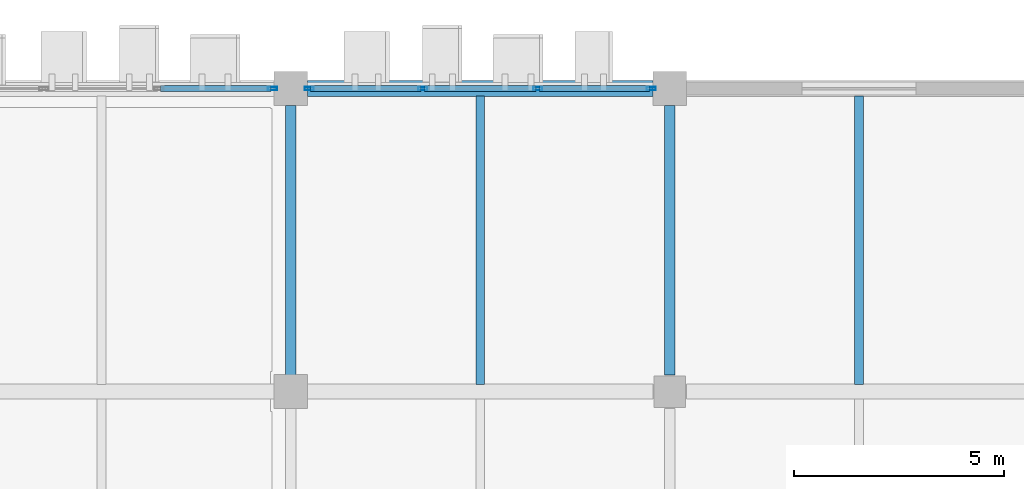
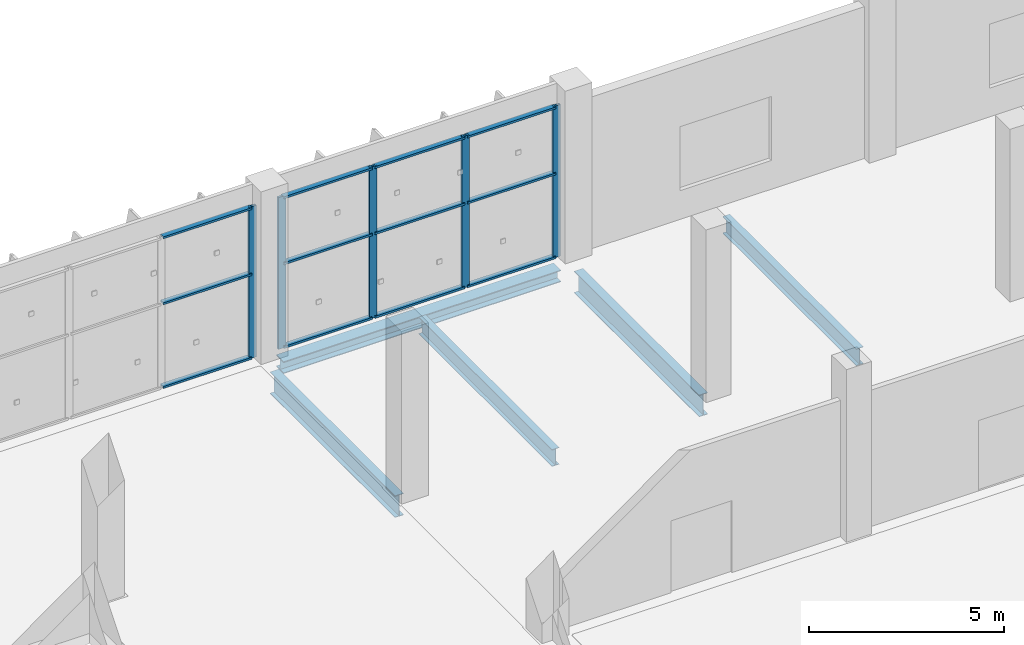
# One storey, part 43 of 137: 17 members, 5 beams, 2 elements without a shape of their own.
"""IFC4 building model written with IfcOpenShell, lengths in metres."""

from ifc_helpers import new_model, si_unit, direction, frame, origin, origin_2d, place, context, subcontext, project, spatial, hollow_rectangle, i_section, extrude, material, layer, layer_set, material_profile, profile_set, type_object, element, aggregate, save


model = new_model("IFC4")

# Units and contexts
model_context = context("Model", 3, precision=1e-05, world=origin(), true_north=direction((0.0, 1.0)))
body_context = subcontext(model_context, "Body", "Model", "MODEL_VIEW")
ifc_project = project(units=[si_unit("LENGTHUNIT", "METRE"), si_unit("AREAUNIT", "SQUARE_METRE"), si_unit("VOLUMEUNIT", "CUBIC_METRE"), si_unit("PLANEANGLEUNIT", "RADIAN"), si_unit("MASSUNIT", "GRAM", prefix="KILO")], contexts=[model_context])

# Site, building, storey
site_placement = place(None, origin())
site = spatial("IfcSite", under=ifc_project, at=site_placement, CompositionType="ELEMENT")
building_placement = place(site_placement, origin())
building = spatial("IfcBuilding", under=site, at=building_placement, Name="Celestram Park Convention Centre", CompositionType="ELEMENT")
storey_placement = place(building_placement, origin())
storey = spatial("IfcBuildingStorey", under=building, at=storey_placement, Name="L00", CompositionType="ELEMENT", Elevation=0.0)

# Curtain wall, member
ifc_material_1 = material(Name="Anodised Aluminium Alloy 6063-T6", Category="aluminium")
ifc_layer = layer(ifc_material_1, 0.179931640625)
ifc_layer_set = layer_set([ifc_layer], Name="Anodised Aluminium Alloy 6063-T6")
curtain_wall_type = type_object("IfcCurtainWallType", Name="ARC-CW-820X475", PredefinedType="NOTDEFINED", material=ifc_layer_set)
curtain_wall_1_placement = place(storey_placement, origin())
curtain_wall_1 = element("IfcCurtainWall", 1, at=curtain_wall_1_placement, inside=storey, type_object=curtain_wall_type, Name="Unitised curtain wall CU-L00-019", PredefinedType="NOTDEFINED")
ifc_material_profile_1 = material_profile(ifc_material_1, hollow_rectangle(XDim=0.074951171875, YDim=0.219970703125, WallThickness=0.00390625, at=origin_2d()), Name="ALU75X220X4")
ifc_profile_set_1 = profile_set([ifc_material_profile_1], Name="Anodised Aluminium Alloy 6063-T6")
member_type_1 = type_object("IfcMemberType", Name="ARC-CWM-180", PredefinedType="MULLION", material=ifc_profile_set_1)
member_1_placement = place(storey_placement, frame((161.564453125, 36.0, 0.0), z_axis=(0.0, 0.0, 1.0), x_axis=(0.0, 1.0, 0.0)))
member_1 = element("IfcMember", 2, at=member_1_placement, type_object=member_type_1, Name="CW-82X47 mullion 4", PredefinedType="MULLION", context=body_context, shape_type="SweptSolid", body=[
    extrude(hollow_rectangle(XDim=0.074951171875, YDim=0.219970703125, WallThickness=0.00390625, at=origin_2d()), origin(), (0.0, 0.0, 1.0), 4.7470703125),
])

# Curtain wall, members
curtain_wall_2_placement = place(storey_placement, origin())
curtain_wall_2 = element("IfcCurtainWall", 3, at=curtain_wall_2_placement, inside=storey, type_object=curtain_wall_type, Name="Unitised curtain wall CU-L00-020", PredefinedType="NOTDEFINED")
member_2_placement = place(storey_placement, frame((162.435546875, 36.0, 0.0), z_axis=(0.0, 0.0, 1.0), x_axis=(0.0, 1.0, 0.0)))
member_2 = element("IfcMember", 4, at=member_2_placement, type_object=member_type_1, Name="CW-82X47 mullion 1", PredefinedType="MULLION", context=body_context, shape_type="SweptSolid", body=[
    extrude(hollow_rectangle(XDim=0.074951171875, YDim=0.219970703125, WallThickness=0.00390625, at=origin_2d()), origin(), (0.0, 0.0, 1.0), 4.7470703125),
])
member_3_placement = place(storey_placement, frame((165.132568359375, 36.0, 0.0), z_axis=(0.0, 0.0, 1.0), x_axis=(0.0, 1.0, 0.0)))
member_3 = element("IfcMember", 5, at=member_3_placement, type_object=member_type_1, Name="CW-82X47 mullion 2", PredefinedType="MULLION", context=body_context, shape_type="SweptSolid", body=[
    extrude(hollow_rectangle(XDim=0.074951171875, YDim=0.219970703125, WallThickness=0.00390625, at=origin_2d()), origin(), (0.0, 0.0, 1.0), 4.7470703125),
])
member_4_placement = place(storey_placement, frame((167.867431640625, 36.0, 0.0), z_axis=(0.0, 0.0, 1.0), x_axis=(0.0, 1.0, 0.0)))
member_4 = element("IfcMember", 6, at=member_4_placement, type_object=member_type_1, Name="CW-82X47 mullion 3", PredefinedType="MULLION", context=body_context, shape_type="SweptSolid", body=[
    extrude(hollow_rectangle(XDim=0.074951171875, YDim=0.219970703125, WallThickness=0.00390625, at=origin_2d()), origin(), (0.0, 0.0, 1.0), 4.7470703125),
])
member_5_placement = place(storey_placement, frame((170.564453125, 36.0, 0.0), z_axis=(0.0, 0.0, 1.0), x_axis=(0.0, 1.0, 0.0)))
member_5 = element("IfcMember", 7, at=member_5_placement, type_object=member_type_1, Name="CW-82X47 mullion 4", PredefinedType="MULLION", context=body_context, shape_type="SweptSolid", body=[
    extrude(hollow_rectangle(XDim=0.074951171875, YDim=0.219970703125, WallThickness=0.00390625, at=origin_2d()), origin(), (0.0, 0.0, 1.0), 4.7470703125),
])

# Member
ifc_material_profile_2 = material_profile(ifc_material_1, hollow_rectangle(XDim=0.14990234375, YDim=0.06494140625, WallThickness=0.0029296875, at=origin_2d()), Name="ALU150X65X3")
ifc_profile_set_2 = profile_set([ifc_material_profile_2], Name="Anodised Aluminium Alloy 6063-T6")
member_type_2 = type_object("IfcMemberType", Name="ARC-CWT-150", PredefinedType="USERDEFINED", material=ifc_profile_set_2)
member_6_placement = place(storey_placement, frame((158.90478515625, 36.0, 0.032470703125), z_axis=(1.0, 0.0, 0.0), x_axis=(0.0, 1.0, 0.0)))
member_6 = element("IfcMember", 8, at=member_6_placement, type_object=member_type_2, Name="CW-82X47 transom 3.1", ObjectType="TRANSOM", PredefinedType="USERDEFINED", context=body_context, shape_type="SweptSolid", body=[
    extrude(hollow_rectangle(XDim=0.14990234375, YDim=0.06494140625, WallThickness=0.0029296875, at=origin_2d()), origin(), (0.0, 0.0, 1.0), 2.622314453125),
])

member_7_placement = place(storey_placement, frame((158.90478515625, 36.0, 2.64990234375), z_axis=(1.0, 0.0, 0.0), x_axis=(0.0, 1.0, 0.0)))
member_7 = element("IfcMember", 9, at=member_7_placement, type_object=member_type_2, Name="CW-82X47 transom 3.2", ObjectType="TRANSOM", PredefinedType="USERDEFINED", context=body_context, shape_type="SweptSolid", body=[
    extrude(hollow_rectangle(XDim=0.14990234375, YDim=0.06494140625, WallThickness=0.0029296875, at=origin_2d()), origin(), (0.0, 0.0, 1.0), 2.622314453125),
])

member_8_placement = place(storey_placement, frame((158.90478515625, 36.0, 4.714599609375), z_axis=(1.0, 0.0, 0.0), x_axis=(0.0, 1.0, 0.0)))
member_8 = element("IfcMember", 10, at=member_8_placement, type_object=member_type_2, Name="CW-82X47 transom 3.3", ObjectType="TRANSOM", PredefinedType="USERDEFINED", context=body_context, shape_type="SweptSolid", body=[
    extrude(hollow_rectangle(XDim=0.14990234375, YDim=0.06494140625, WallThickness=0.0029296875, at=origin_2d()), origin(), (0.0, 0.0, 1.0), 2.622314453125),
])

aggregate(curtain_wall_1, [member_1, member_6, member_7, member_8])

member_9_placement = place(storey_placement, frame((162.472900390625, 36.0, 0.032470703125), z_axis=(1.0, 0.0, 0.0), x_axis=(0.0, 1.0, 0.0)))
member_9 = element("IfcMember", 11, at=member_9_placement, type_object=member_type_2, Name="CW-82X47 transom 1.1", ObjectType="TRANSOM", PredefinedType="USERDEFINED", context=body_context, shape_type="SweptSolid", body=[
    extrude(hollow_rectangle(XDim=0.14990234375, YDim=0.06494140625, WallThickness=0.0029296875, at=origin_2d()), origin(), (0.0, 0.0, 1.0), 2.622314453125),
])

member_10_placement = place(storey_placement, frame((162.472900390625, 36.0, 2.64990234375), z_axis=(1.0, 0.0, 0.0), x_axis=(0.0, 1.0, 0.0)))
member_10 = element("IfcMember", 12, at=member_10_placement, type_object=member_type_2, Name="CW-82X47 transom 1.2", ObjectType="TRANSOM", PredefinedType="USERDEFINED", context=body_context, shape_type="SweptSolid", body=[
    extrude(hollow_rectangle(XDim=0.14990234375, YDim=0.06494140625, WallThickness=0.0029296875, at=origin_2d()), origin(), (0.0, 0.0, 1.0), 2.622314453125),
])

member_11_placement = place(storey_placement, frame((162.472900390625, 36.0, 4.714599609375), z_axis=(1.0, 0.0, 0.0), x_axis=(0.0, 1.0, 0.0)))
member_11 = element("IfcMember", 13, at=member_11_placement, type_object=member_type_2, Name="CW-82X47 transom 1.3", ObjectType="TRANSOM", PredefinedType="USERDEFINED", context=body_context, shape_type="SweptSolid", body=[
    extrude(hollow_rectangle(XDim=0.14990234375, YDim=0.06494140625, WallThickness=0.0029296875, at=origin_2d()), origin(), (0.0, 0.0, 1.0), 2.622314453125),
])

member_12_placement = place(storey_placement, frame((165.170166015625, 36.0, 0.032470703125), z_axis=(1.0, 0.0, 0.0), x_axis=(0.0, 1.0, 0.0)))
member_12 = element("IfcMember", 14, at=member_12_placement, type_object=member_type_2, Name="CW-82X47 transom 2.1", ObjectType="TRANSOM", PredefinedType="USERDEFINED", context=body_context, shape_type="SweptSolid", body=[
    extrude(hollow_rectangle(XDim=0.14990234375, YDim=0.06494140625, WallThickness=0.0029296875, at=origin_2d()), origin(), (0.0, 0.0, 1.0), 2.65966796875),
])

member_13_placement = place(storey_placement, frame((165.170166015625, 36.0, 2.64990234375), z_axis=(1.0, 0.0, 0.0), x_axis=(0.0, 1.0, 0.0)))
member_13 = element("IfcMember", 15, at=member_13_placement, type_object=member_type_2, Name="CW-82X47 transom 2.2", ObjectType="TRANSOM", PredefinedType="USERDEFINED", context=body_context, shape_type="SweptSolid", body=[
    extrude(hollow_rectangle(XDim=0.14990234375, YDim=0.06494140625, WallThickness=0.0029296875, at=origin_2d()), origin(), (0.0, 0.0, 1.0), 2.65966796875),
])

member_14_placement = place(storey_placement, frame((165.170166015625, 36.0, 4.714599609375), z_axis=(1.0, 0.0, 0.0), x_axis=(0.0, 1.0, 0.0)))
member_14 = element("IfcMember", 16, at=member_14_placement, type_object=member_type_2, Name="CW-82X47 transom 2.3", ObjectType="TRANSOM", PredefinedType="USERDEFINED", context=body_context, shape_type="SweptSolid", body=[
    extrude(hollow_rectangle(XDim=0.14990234375, YDim=0.06494140625, WallThickness=0.0029296875, at=origin_2d()), origin(), (0.0, 0.0, 1.0), 2.65966796875),
])

member_15_placement = place(storey_placement, frame((167.90478515625, 36.0, 0.032470703125), z_axis=(1.0, 0.0, 0.0), x_axis=(0.0, 1.0, 0.0)))
member_15 = element("IfcMember", 17, at=member_15_placement, type_object=member_type_2, Name="CW-82X47 transom 3.1", ObjectType="TRANSOM", PredefinedType="USERDEFINED", context=body_context, shape_type="SweptSolid", body=[
    extrude(hollow_rectangle(XDim=0.14990234375, YDim=0.06494140625, WallThickness=0.0029296875, at=origin_2d()), origin(), (0.0, 0.0, 1.0), 2.622314453125),
])

member_16_placement = place(storey_placement, frame((167.90478515625, 36.0, 2.64990234375), z_axis=(1.0, 0.0, 0.0), x_axis=(0.0, 1.0, 0.0)))
member_16 = element("IfcMember", 18, at=member_16_placement, type_object=member_type_2, Name="CW-82X47 transom 3.2", ObjectType="TRANSOM", PredefinedType="USERDEFINED", context=body_context, shape_type="SweptSolid", body=[
    extrude(hollow_rectangle(XDim=0.14990234375, YDim=0.06494140625, WallThickness=0.0029296875, at=origin_2d()), origin(), (0.0, 0.0, 1.0), 2.622314453125),
])

member_17_placement = place(storey_placement, frame((167.90478515625, 36.0, 4.714599609375), z_axis=(1.0, 0.0, 0.0), x_axis=(0.0, 1.0, 0.0)))
member_17 = element("IfcMember", 19, at=member_17_placement, type_object=member_type_2, Name="CW-82X47 transom 3.3", ObjectType="TRANSOM", PredefinedType="USERDEFINED", context=body_context, shape_type="SweptSolid", body=[
    extrude(hollow_rectangle(XDim=0.14990234375, YDim=0.06494140625, WallThickness=0.0029296875, at=origin_2d()), origin(), (0.0, 0.0, 1.0), 2.622314453125),
])

aggregate(curtain_wall_2, [member_2, member_3, member_4, member_5, member_9, member_10, member_11, member_12, member_13, member_14, member_15, member_16, member_17])

# Beams
ifc_material_2 = material(Name="Steel ASTM A992 Grade 50", Category="steel")
ifc_material_profile_3 = material_profile(ifc_material_2, i_section(OverallWidth=0.25390625, OverallDepth=0.68310546875, WebThickness=0.012451171875, FlangeThickness=0.01904296875, at=origin_2d()), Name="W27X94")
ifc_profile_set_3 = profile_set([ifc_material_profile_3], Name="Steel ASTM A992 Grade 50")
beam_type_1 = type_object("IfcBeamType", Name="STR-BM-W27X94", PredefinedType="BEAM", material=ifc_profile_set_3)
for number, where, z_axis, x_axis, name in (
    (20, (162.0, 29.197998046875, -0.66162109375), (0.0, 1.0, 0.0), (-1.0, 0.0, 0.0), "Primary Y-girder BG-L00-0726"),
    (21, (171.0, 29.197998046875, -0.66162109375), (0.0, 1.0, 0.0), (-1.0, 0.0, 0.0), "Primary Y-girder BG-L00-0752"),
):
    element("IfcBeam", number, at=place(storey_placement, frame(where, z_axis=z_axis, x_axis=x_axis)), inside=storey, type_object=beam_type_1, Name=name, PredefinedType="BEAM", context=body_context, shape_type="SweptSolid", body=[
        extrude(i_section(OverallWidth=0.25390625, OverallDepth=0.68310546875, WebThickness=0.012451171875, FlangeThickness=0.01904296875, at=origin_2d()), origin(), (0.0, 0.0, 1.0), 6.404052734375),
    ])
ifc_material_profile_4 = material_profile(ifc_material_2, i_section(OverallWidth=0.2099609375, OverallDepth=0.532958984375, WebThickness=0.01025390625, FlangeThickness=0.015625, at=origin_2d()), Name="W21X62")
ifc_profile_set_4 = profile_set([ifc_material_profile_4], Name="Steel ASTM A992 Grade 50")
beam_type_2 = type_object("IfcBeamType", Name="STR-JST-W21X62", PredefinedType="JOIST", material=ifc_profile_set_4)
for number, where, z_axis, x_axis, name in (
    (22, (166.5, 28.97412109375, -0.58642578125), (0.0, 1.0, 0.0), (-1.0, 0.0, 0.0), "Secondary composite joist BG-L00-1188"),
    (23, (175.5, 28.97412109375, -0.58642578125), (0.0, 1.0, 0.0), (-1.0, 0.0, 0.0), "Secondary composite joist BG-L00-1200"),
):
    element("IfcBeam", number, at=place(storey_placement, frame(where, z_axis=z_axis, x_axis=x_axis)), inside=storey, type_object=beam_type_2, Name=name, PredefinedType="JOIST", context=body_context, shape_type="SweptSolid", body=[
        extrude(i_section(OverallWidth=0.2099609375, OverallDepth=0.532958984375, WebThickness=0.01025390625, FlangeThickness=0.015625, at=origin_2d()), origin(), (0.0, 0.0, 1.0), 6.843994140625),
    ])
ifc_material_profile_5 = material_profile(ifc_material_2, i_section(OverallWidth=0.373046875, OverallDepth=0.373046875, WebThickness=0.016357421875, FlangeThickness=0.026123046875, at=origin_2d()), Name="W14X132")
ifc_profile_set_5 = profile_set([ifc_material_profile_5], Name="Steel ASTM A992 Grade 50")
beam_type_3 = type_object("IfcBeamType", Name="STR-SPN-W14X132", PredefinedType="SPANDREL", material=ifc_profile_set_5)
beam_placement = place(storey_placement, frame((162.39794921875, 36.0, -0.506591796875), z_axis=(1.0, 0.0, 0.0), x_axis=(0.0, 1.0, 0.0)))
element("IfcBeam", 24, at=beam_placement, inside=storey, type_object=beam_type_3, Name="Primary X-girder BG-L00-0727", PredefinedType="SPANDREL", context=body_context, shape_type="SweptSolid", body=[
    extrude(i_section(OverallWidth=0.373046875, OverallDepth=0.373046875, WebThickness=0.016357421875, FlangeThickness=0.026123046875, at=origin_2d()), origin(), (0.0, 0.0, 1.0), 8.2041015625),
])

save(model, "model.ifc")
